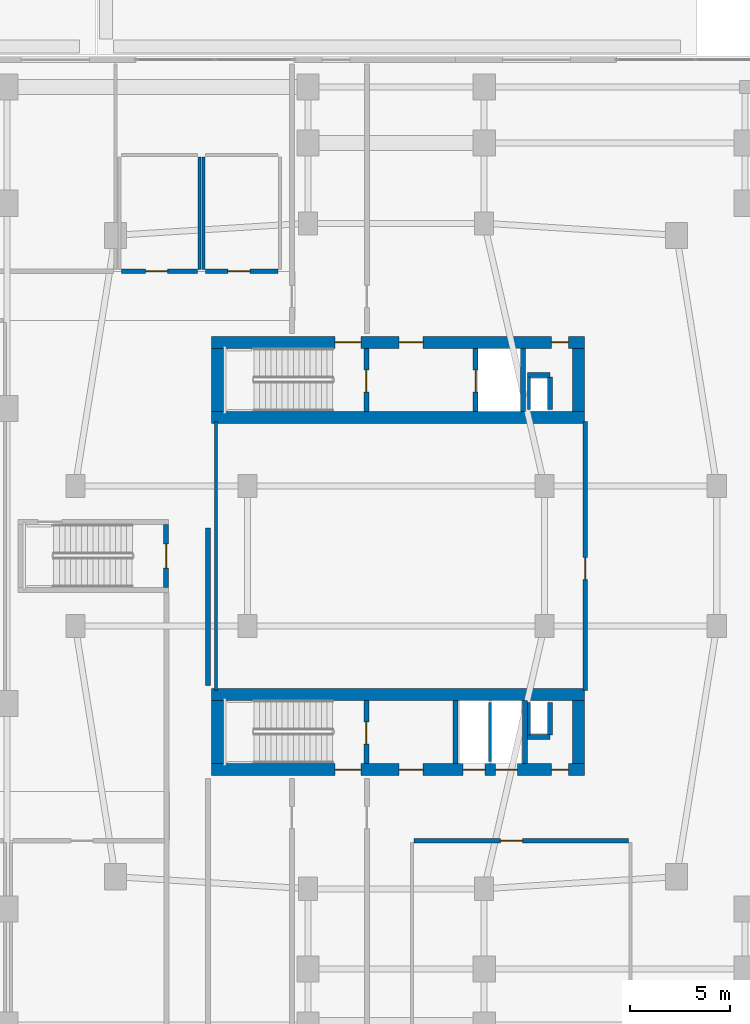
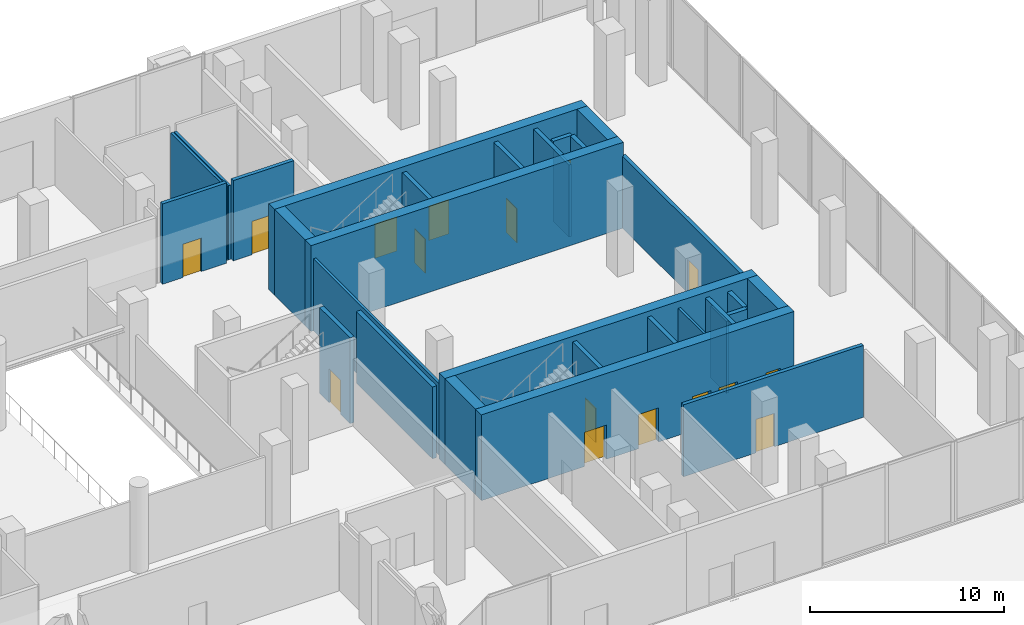
# One storey, part 16 of 24: 30 walls, 16 doors, 16 openings.
"""IFC4 building model written with IfcOpenShell, lengths in metres."""

from ifc_helpers import new_model, si_unit, derived_unit, direction, frame, frame_2d, origin, place, context, subcontext, project, spatial, rectangle, extrude, material, layer, layer_set, type_object, element, fill, save


model = new_model("IFC4")

# Units and contexts
model_context = context("Model", 3, precision=1e-05, world=origin(), true_north=direction((0.0, 1.0)))
body_context = subcontext(model_context, "Body", "Model", "MODEL_VIEW")
ifc_project = project(units=[si_unit("LENGTHUNIT", "METRE"), si_unit("AREAUNIT", "SQUARE_METRE"), si_unit("VOLUMEUNIT", "CUBIC_METRE"), si_unit("PLANEANGLEUNIT", "RADIAN"), si_unit("MASSUNIT", "GRAM", prefix="KILO"), derived_unit("THERMALTRANSMITTANCEUNIT", [(si_unit("POWERUNIT", "WATT"), 1), (si_unit("LENGTHUNIT", "METRE"), -2), (si_unit("THERMODYNAMICTEMPERATUREUNIT", "KELVIN"), -1)])], contexts=[model_context])

# Site, building, storey
site_placement = place(None, origin())
site = spatial("IfcSite", under=ifc_project, at=site_placement, CompositionType="ELEMENT")
building_placement = place(site_placement, origin())
building = spatial("IfcBuilding", under=site, at=building_placement, Name="Kivonza Crest Hotel", CompositionType="ELEMENT")
storey_placement = place(building_placement, origin())
storey = spatial("IfcBuildingStorey", under=building, at=storey_placement, Name="L00", CompositionType="ELEMENT", Elevation=0.0)

# Wall, opening, door
ifc_material_1 = material(Name="Autoclaved aerated concrete blockwork", Category="masonry")
ifc_layer_1 = layer(ifc_material_1, 0.219970703125)
ifc_layer_set_1 = layer_set([ifc_layer_1], Name="Autoclaved aerated concrete blockwork")
wall_type_1 = type_object("IfcWallType", Name="WL-ACOU-220", PredefinedType="SOLIDWALL", material=ifc_layer_set_1)
wall_1_placement = place(storey_placement, frame((86.449951171875, 18.300048828125, 0.0), z_axis=(0.0, 0.0, 1.0), x_axis=(0.0, 1.0, 0.0)))
wall_1 = element("IfcWall", 1, at=wall_1_placement, inside=storey, type_object=wall_type_1, Name="L00 interior partition WA-L00-RES-LOB-E", PredefinedType="SOLIDWALL", context=body_context, shape_type="SweptSolid", body=[
    extrude(rectangle(XDim=13.39990234375, YDim=0.219970703125, at=frame_2d((6.699951171875, 0.0))), origin(), (0.0, 0.0, 1.0), 4.52490234375),
])
opening_1_placement = place(wall_1_placement, frame((5.52490234375, 0.0, 0.0)))
opening_1 = element("IfcOpeningElement", 2, at=opening_1_placement, cuts=wall_1, Name="Opening DF-60M", PredefinedType="OPENING", context=body_context, shape_type="SweptSolid", body=[
    extrude(rectangle(XDim=1.10009765625, YDim=2.10009765625, at=frame_2d((0.550048828125, 1.050048828125))), frame((0.0, 0.1201171875, 0.0), z_axis=(0.0, -1.0, 0.0), x_axis=(1.0, 0.0, 0.0)), (0.0, 0.0, 1.0), 0.239990234375),
])
ifc_material_2 = material(Name="Hardwood timber oak", Category="wood")
door_type_1 = type_object("IfcDoorType", Name="DR-FD60-1100", OperationType="NOTDEFINED", PredefinedType="DOOR", material=ifc_material_2)
door_1_placement = place(opening_1_placement, origin())
door_1 = element("IfcDoor", 3, at=door_1_placement, inside=storey, type_object=door_type_1, Name="L00 Residential Companion Arrival Lobby door", OperationType="SINGLE_SWING_LEFT", OverallHeight=2.10009765625, OverallWidth=1.10009765625, PredefinedType="DOOR", context=body_context, shape_type="SweptSolid", body=[
    extrude(rectangle(XDim=1.10009765625, YDim=2.10009765625, at=frame_2d((0.550048828125, 1.050048828125))), frame((0.0, 0.02490234375, 0.0), z_axis=(0.0, -1.0, 0.0), x_axis=(1.0, 0.0, 0.0)), (0.0, 0.0, 1.0), 0.050048828125),
])
fill(opening_1, door_1)

wall_2_placement = place(storey_placement, frame((77.89990234375, 10.800048828125, 0.0), z_axis=(0.0, 0.0, 1.0), x_axis=(1.0, 0.0, 0.0)))
wall_2 = element("IfcWall", 4, at=wall_2_placement, inside=storey, type_object=wall_type_1, Name="L00 interior partition WA-L00-RES-VEST-N", PredefinedType="SOLIDWALL", context=body_context, shape_type="SweptSolid", body=[
    extrude(rectangle(XDim=10.7001953125, YDim=0.219970703125, at=frame_2d((5.35009765625, 0.0))), origin(), (0.0, 0.0, 1.0), 4.52490234375),
])
opening_2_placement = place(wall_2_placement, frame((4.31005859375, 0.0, 0.0)))
opening_2 = element("IfcOpeningElement", 5, at=opening_2_placement, cuts=wall_2, Name="Opening DF-60M", PredefinedType="OPENING", context=body_context, shape_type="SweptSolid", body=[
    extrude(rectangle(XDim=1.10009765625, YDim=2.10009765625, at=frame_2d((0.550048828125, 1.050048828125))), frame((0.0, 0.1201171875, 0.0), z_axis=(0.0, -1.0, 0.0), x_axis=(1.0, 0.0, 0.0)), (0.0, 0.0, 1.0), 0.239990234375),
])
door_2_placement = place(opening_2_placement, frame((1.10009765625, 0.0, 0.0), z_axis=(0.0, 0.0, 1.0), x_axis=(-1.0, 0.0, 0.0)))
door_2 = element("IfcDoor", 6, at=door_2_placement, inside=storey, type_object=door_type_1, Name="L00 Companion South Street Entrance Hall door", OperationType="SINGLE_SWING_RIGHT", OverallHeight=2.10009765625, OverallWidth=1.10009765625, PredefinedType="DOOR", context=body_context, shape_type="SweptSolid", body=[
    extrude(rectangle(XDim=1.10009765625, YDim=2.10009765625, at=frame_2d((0.550048828125, 1.050048828125))), frame((0.0, 0.02490234375, 0.0), z_axis=(0.0, -1.0, 0.0), x_axis=(1.0, 0.0, 0.0)), (0.0, 0.0, 1.0), 0.050048828125),
])
fill(opening_2, door_2)

wall_3_placement = place(storey_placement, frame((63.300048828125, 39.199951171875, 0.0), z_axis=(0.0, 0.0, 1.0), x_axis=(1.0, 0.0, 0.0)))
wall_3 = element("IfcWall", 7, at=wall_3_placement, inside=storey, type_object=wall_type_1, Name="L00 interior partition WA-L00-MWC-S", PredefinedType="SOLIDWALL", context=body_context, shape_type="SweptSolid", body=[
    extrude(rectangle(XDim=3.800048828125, YDim=0.219970703125, at=frame_2d((1.89990234375, 0.0))), origin(), (0.0, 0.0, 1.0), 5.050048828125),
])
opening_3_placement = place(wall_3_placement, frame((1.205078125, 0.0, 0.0)))
opening_3 = element("IfcOpeningElement", 8, at=opening_3_placement, cuts=wall_3, Name="Opening DF-60M", PredefinedType="OPENING", context=body_context, shape_type="SweptSolid", body=[
    extrude(rectangle(XDim=1.10009765625, YDim=2.10009765625, at=frame_2d((0.550048828125, 1.050048828125))), frame((0.0, 0.1201171875, 0.0), z_axis=(0.0, -1.0, 0.0), x_axis=(1.0, 0.0, 0.0)), (0.0, 0.0, 1.0), 0.239990234375),
])
door_3_placement = place(opening_3_placement, origin())
door_3 = element("IfcDoor", 9, at=door_3_placement, inside=storey, type_object=door_type_1, Name="L00 Ground Public Male WC door", OperationType="SINGLE_SWING_RIGHT", OverallHeight=2.10009765625, OverallWidth=1.10009765625, PredefinedType="DOOR", context=body_context, shape_type="SweptSolid", body=[
    extrude(rectangle(XDim=1.10009765625, YDim=2.10009765625, at=frame_2d((0.550048828125, 1.050048828125))), frame((0.0, 0.02490234375, 0.0), z_axis=(0.0, -1.0, 0.0), x_axis=(1.0, 0.0, 0.0)), (0.0, 0.0, 1.0), 0.050048828125),
])
fill(opening_3, door_3)

wall_4_placement = place(storey_placement, frame((67.5, 39.199951171875, 0.0), z_axis=(0.0, 0.0, 1.0), x_axis=(1.0, 0.0, 0.0)))
wall_4 = element("IfcWall", 10, at=wall_4_placement, inside=storey, type_object=wall_type_1, Name="L00 interior partition WA-L00-FWC-S", PredefinedType="SOLIDWALL", context=body_context, shape_type="SweptSolid", body=[
    extrude(rectangle(XDim=3.60009765625, YDim=0.219970703125, at=frame_2d((1.800048828125, 0.0))), origin(), (0.0, 0.0, 1.0), 5.050048828125),
])
opening_4_placement = place(wall_4_placement, frame((1.114990234375, 0.0, 0.0)))
opening_4 = element("IfcOpeningElement", 11, at=opening_4_placement, cuts=wall_4, Name="Opening DF-60M", PredefinedType="OPENING", context=body_context, shape_type="SweptSolid", body=[
    extrude(rectangle(XDim=1.10009765625, YDim=2.10009765625, at=frame_2d((0.550048828125, 1.050048828125))), frame((0.0, 0.1201171875, 0.0), z_axis=(0.0, -1.0, 0.0), x_axis=(1.0, 0.0, 0.0)), (0.0, 0.0, 1.0), 0.239990234375),
])
door_4_placement = place(opening_4_placement, origin())
door_4 = element("IfcDoor", 12, at=door_4_placement, inside=storey, type_object=door_type_1, Name="L00 Ground Public Female WC door", OperationType="SINGLE_SWING_LEFT", OverallHeight=2.10009765625, OverallWidth=1.10009765625, PredefinedType="DOOR", context=body_context, shape_type="SweptSolid", body=[
    extrude(rectangle(XDim=1.10009765625, YDim=2.10009765625, at=frame_2d((0.550048828125, 1.050048828125))), frame((0.0, 0.02490234375, 0.0), z_axis=(0.0, -1.0, 0.0), x_axis=(1.0, 0.0, 0.0)), (0.0, 0.0, 1.0), 0.050048828125),
])
fill(opening_4, door_4)

# Wall
ifc_material_3 = material(Name="Concrete C60/75", Category="concrete")
ifc_layer_2 = layer(ifc_material_3, 0.60009765625)
ifc_layer_set_2 = layer_set([ifc_layer_2], Name="Concrete C60/75")
wall_type_2 = type_object("IfcWallType", Name="WL-CORE-600", PredefinedType="SHEAR", material=ifc_layer_set_2)
wall_5_placement = place(storey_placement, frame((67.800048828125, 31.89990234375, 0.0), z_axis=(0.0, 0.0, 1.0), x_axis=(1.0, 0.0, 0.0)))
element("IfcWall", 13, at=wall_5_placement, inside=storey, type_object=wall_type_2, Name="Core wall T2-N South L00", PredefinedType="SHEAR", context=body_context, shape_type="SweptSolid", body=[
    extrude(rectangle(XDim=18.599853515625, YDim=0.60009765625, at=frame_2d((9.2998046875, 0.0))), origin(), (0.0, 0.0, 1.0), 5.39990234375),
])

# Wall, openings, doors
wall_6_placement = place(storey_placement, frame((67.800048828125, 35.659912109375, 0.0), z_axis=(0.0, 0.0, 1.0), x_axis=(1.0, 0.0, 0.0)))
wall_6 = element("IfcWall", 14, at=wall_6_placement, inside=storey, type_object=wall_type_2, Name="Core wall T2-N North L00", PredefinedType="SHEAR", context=body_context, shape_type="SweptSolid", body=[
    extrude(rectangle(XDim=18.599853515625, YDim=0.60009765625, at=frame_2d((9.2998046875, 0.0))), origin(), (0.0, 0.0, 1.0), 5.39990234375),
])
opening_5_placement = place(wall_6_placement, frame((9.35009765625, 0.0, 0.0)))
opening_5 = element("IfcOpeningElement", 15, at=opening_5_placement, cuts=wall_6, Name="Opening DF-60", PredefinedType="OPENING", context=body_context, shape_type="SweptSolid", body=[
    extrude(rectangle(XDim=1.199951171875, YDim=2.14990234375, at=frame_2d((0.60009765625, 1.074951171875))), frame((0.0, 0.31005859375, 0.0), z_axis=(0.0, -1.0, 0.0), x_axis=(1.0, 0.0, 0.0)), (0.0, 0.0, 1.0), 0.6201171875),
])
opening_6_placement = place(wall_6_placement, frame((6.14990234375, 0.0, 0.0)))
opening_6 = element("IfcOpeningElement", 16, at=opening_6_placement, cuts=wall_6, Name="Opening DF-120D", PredefinedType="OPENING", context=body_context, shape_type="SweptSolid", body=[
    extrude(rectangle(XDim=1.300048828125, YDim=2.14990234375, at=frame_2d((0.64990234375, 1.074951171875))), frame((0.0, 0.31005859375, 0.0), z_axis=(0.0, -1.0, 0.0), x_axis=(1.0, 0.0, 0.0)), (0.0, 0.0, 1.0), 0.6201171875),
])
opening_7_placement = place(wall_6_placement, frame((16.949951171875, 0.0, 0.0)))
opening_7 = element("IfcOpeningElement", 17, at=opening_7_placement, cuts=wall_6, Name="Opening DF-60R", PredefinedType="OPENING", context=body_context, shape_type="SweptSolid", body=[
    extrude(rectangle(XDim=0.85009765625, YDim=2.10009765625, at=frame_2d((0.425048828125, 1.050048828125))), frame((0.0, 0.31005859375, 0.0), z_axis=(0.0, -1.0, 0.0), x_axis=(1.0, 0.0, 0.0)), (0.0, 0.0, 1.0), 0.6201171875),
])
ifc_material_4 = material(Name="Galvanised steel", Category="steel")
door_type_2 = type_object("IfcDoorType", Name="DR-FD120-1300", OperationType="NOTDEFINED", PredefinedType="DOOR", material=ifc_material_4)
door_5_placement = place(opening_6_placement, origin())
door_5 = element("IfcDoor", 18, at=door_5_placement, inside=storey, type_object=door_type_2, Name="L00 T2-N stair exit discharge fire door", OperationType="DOUBLE_DOOR_SINGLE_SWING", OverallHeight=2.14990234375, OverallWidth=1.300048828125, PredefinedType="DOOR", context=body_context, shape_type="SweptSolid", body=[
    extrude(rectangle(XDim=1.300048828125, YDim=2.14990234375, at=frame_2d((0.64990234375, 1.074951171875))), frame((0.0, 0.02490234375, 0.0), z_axis=(0.0, -1.0, 0.0), x_axis=(1.0, 0.0, 0.0)), (0.0, 0.0, 1.0), 0.050048828125),
])
fill(opening_6, door_5)
door_type_3 = type_object("IfcDoorType", Name="DR-FD60-1200", OperationType="NOTDEFINED", PredefinedType="DOOR", material=ifc_material_2)
door_6_placement = place(opening_5_placement, origin())
door_6 = element("IfcDoor", 19, at=door_6_placement, inside=storey, type_object=door_type_3, Name="L00 T2-N firefighting lobby fire door", OperationType="SINGLE_SWING_RIGHT", OverallHeight=2.14990234375, OverallWidth=1.199951171875, PredefinedType="DOOR", context=body_context, shape_type="SweptSolid", body=[
    extrude(rectangle(XDim=1.199951171875, YDim=2.14990234375, at=frame_2d((0.60009765625, 1.074951171875))), frame((0.0, 0.02490234375, 0.0), z_axis=(0.0, -1.0, 0.0), x_axis=(1.0, 0.0, 0.0)), (0.0, 0.0, 1.0), 0.050048828125),
])
fill(opening_5, door_6)
door_type_4 = type_object("IfcDoorType", Name="DR-FD60-850", OperationType="NOTDEFINED", PredefinedType="DOOR", material=ifc_material_2)
door_7_placement = place(opening_7_placement, origin())
door_7 = element("IfcDoor", 20, at=door_7_placement, inside=storey, type_object=door_type_4, Name="L00 T2-N core room door", OperationType="SINGLE_SWING_RIGHT", OverallHeight=2.10009765625, OverallWidth=0.85009765625, PredefinedType="DOOR", context=body_context, shape_type="SweptSolid", body=[
    extrude(rectangle(XDim=0.85009765625, YDim=2.10009765625, at=frame_2d((0.425048828125, 1.050048828125))), frame((0.0, 0.02490234375, 0.0), z_axis=(0.0, -1.0, 0.0), x_axis=(1.0, 0.0, 0.0)), (0.0, 0.0, 1.0), 0.050048828125),
])
fill(opening_7, door_7)

# Walls
for number, where, z_axis, x_axis, name in (
    (21, (68.10009765625, 32.199951171875, 0.0), (0.0, 0.0, 1.0), (0.0, 1.0, 0.0), "Core wall T2-N West L00"),
    (22, (86.10009765625, 32.199951171875, 0.0), (0.0, 0.0, 1.0), (0.0, 1.0, 0.0), "Core wall T2-N East L00"),
):
    element("IfcWall", number, at=place(storey_placement, frame(where, z_axis=z_axis, x_axis=x_axis)), inside=storey, type_object=wall_type_2, Name=name, PredefinedType="SHEAR", context=body_context, shape_type="SweptSolid", body=[
        extrude(rectangle(XDim=3.16015625, YDim=0.60009765625, at=frame_2d((1.580078125, 0.0))), origin(), (0.0, 0.0, 1.0), 5.39990234375),
    ])

# Wall, openings, doors
wall_7_placement = place(storey_placement, frame((67.800048828125, 14.340087890625, 0.0), z_axis=(0.0, 0.0, 1.0), x_axis=(1.0, 0.0, 0.0)))
wall_7 = element("IfcWall", 23, at=wall_7_placement, inside=storey, type_object=wall_type_2, Name="Core wall T2-S South L00", PredefinedType="SHEAR", context=body_context, shape_type="SweptSolid", body=[
    extrude(rectangle(XDim=18.599853515625, YDim=0.60009765625, at=frame_2d((9.2998046875, 0.0))), origin(), (0.0, 0.0, 1.0), 5.39990234375),
])
opening_8_placement = place(wall_7_placement, frame((9.35009765625, 0.0, 0.0)))
opening_8 = element("IfcOpeningElement", 24, at=opening_8_placement, cuts=wall_7, Name="Opening DF-60", PredefinedType="OPENING", context=body_context, shape_type="SweptSolid", body=[
    extrude(rectangle(XDim=1.199951171875, YDim=2.14990234375, at=frame_2d((0.60009765625, 1.074951171875))), frame((0.0, 0.31005859375, 0.0), z_axis=(0.0, -1.0, 0.0), x_axis=(1.0, 0.0, 0.0)), (0.0, 0.0, 1.0), 0.6201171875),
])
opening_9_placement = place(wall_7_placement, frame((6.14990234375, 0.0, 0.0)))
opening_9 = element("IfcOpeningElement", 25, at=opening_9_placement, cuts=wall_7, Name="Opening DF-120D", PredefinedType="OPENING", context=body_context, shape_type="SweptSolid", body=[
    extrude(rectangle(XDim=1.300048828125, YDim=2.14990234375, at=frame_2d((0.64990234375, 1.074951171875))), frame((0.0, 0.31005859375, 0.0), z_axis=(0.0, -1.0, 0.0), x_axis=(1.0, 0.0, 0.0)), (0.0, 0.0, 1.0), 0.6201171875),
])
opening_10_placement = place(wall_7_placement, frame((16.949951171875, 0.0, 0.0)))
opening_10 = element("IfcOpeningElement", 26, at=opening_10_placement, cuts=wall_7, Name="Opening DF-60R", PredefinedType="OPENING", context=body_context, shape_type="SweptSolid", body=[
    extrude(rectangle(XDim=0.85009765625, YDim=2.10009765625, at=frame_2d((0.425048828125, 1.050048828125))), frame((0.0, 0.31005859375, 0.0), z_axis=(0.0, -1.0, 0.0), x_axis=(1.0, 0.0, 0.0)), (0.0, 0.0, 1.0), 0.6201171875),
])
opening_11_placement = place(wall_7_placement, frame((12.550048828125, 0.0, 0.0)))
opening_11 = element("IfcOpeningElement", 27, at=opening_11_placement, cuts=wall_7, Name="Opening LD-120", PredefinedType="OPENING", context=body_context, shape_type="SweptSolid", body=[
    extrude(rectangle(XDim=1.10009765625, YDim=2.14990234375, at=frame_2d((0.550048828125, 1.074951171875))), frame((0.0, 0.31005859375, 0.0), z_axis=(0.0, -1.0, 0.0), x_axis=(1.0, 0.0, 0.0)), (0.0, 0.0, 1.0), 0.6201171875),
])
opening_12_placement = place(wall_7_placement, frame((14.14990234375, 0.0, 0.0)))
opening_12 = element("IfcOpeningElement", 28, at=opening_12_placement, cuts=wall_7, Name="Opening LD-120", PredefinedType="OPENING", context=body_context, shape_type="SweptSolid", body=[
    extrude(rectangle(XDim=1.10009765625, YDim=2.14990234375, at=frame_2d((0.550048828125, 1.074951171875))), frame((0.0, 0.31005859375, 0.0), z_axis=(0.0, -1.0, 0.0), x_axis=(1.0, 0.0, 0.0)), (0.0, 0.0, 1.0), 0.6201171875),
])
door_8_placement = place(opening_9_placement, frame((1.300048828125, 0.0, 0.0), z_axis=(0.0, 0.0, 1.0), x_axis=(-1.0, 0.0, 0.0)))
door_8 = element("IfcDoor", 29, at=door_8_placement, inside=storey, type_object=door_type_2, Name="L00 T2-S stair exit discharge fire door", OperationType="DOUBLE_DOOR_SINGLE_SWING", OverallHeight=2.14990234375, OverallWidth=1.300048828125, PredefinedType="DOOR", context=body_context, shape_type="SweptSolid", body=[
    extrude(rectangle(XDim=1.300048828125, YDim=2.14990234375, at=frame_2d((0.64990234375, 1.074951171875))), frame((0.0, 0.02490234375, 0.0), z_axis=(0.0, -1.0, 0.0), x_axis=(1.0, 0.0, 0.0)), (0.0, 0.0, 1.0), 0.050048828125),
])
fill(opening_9, door_8)
door_9_placement = place(opening_8_placement, frame((1.199951171875, 0.0, 0.0), z_axis=(0.0, 0.0, 1.0), x_axis=(-1.0, 0.0, 0.0)))
door_9 = element("IfcDoor", 30, at=door_9_placement, inside=storey, type_object=door_type_3, Name="L00 T2-S firefighting lobby fire door", OperationType="SINGLE_SWING_LEFT", OverallHeight=2.14990234375, OverallWidth=1.199951171875, PredefinedType="DOOR", context=body_context, shape_type="SweptSolid", body=[
    extrude(rectangle(XDim=1.199951171875, YDim=2.14990234375, at=frame_2d((0.60009765625, 1.074951171875))), frame((0.0, 0.02490234375, 0.0), z_axis=(0.0, -1.0, 0.0), x_axis=(1.0, 0.0, 0.0)), (0.0, 0.0, 1.0), 0.050048828125),
])
fill(opening_8, door_9)
door_10_placement = place(opening_10_placement, frame((0.85009765625, 0.0, 0.0), z_axis=(0.0, 0.0, 1.0), x_axis=(-1.0, 0.0, 0.0)))
door_10 = element("IfcDoor", 31, at=door_10_placement, inside=storey, type_object=door_type_4, Name="L00 T2-S core room door", OperationType="SINGLE_SWING_RIGHT", OverallHeight=2.10009765625, OverallWidth=0.85009765625, PredefinedType="DOOR", context=body_context, shape_type="SweptSolid", body=[
    extrude(rectangle(XDim=0.85009765625, YDim=2.10009765625, at=frame_2d((0.425048828125, 1.050048828125))), frame((0.0, 0.02490234375, 0.0), z_axis=(0.0, -1.0, 0.0), x_axis=(1.0, 0.0, 0.0)), (0.0, 0.0, 1.0), 0.050048828125),
])
fill(opening_10, door_10)
ifc_material_5 = material(Name="Stainless steel", Category="steel")
door_type_5 = type_object("IfcDoorType", Name="DR-LD120-1100", OperationType="NOTDEFINED", PredefinedType="DOOR", material=ifc_material_5)
door_11_placement = place(opening_11_placement, frame((1.10009765625, 0.0, 0.0), z_axis=(0.0, 0.0, 1.0), x_axis=(-1.0, 0.0, 0.0)))
door_11 = element("IfcDoor", 32, at=door_11_placement, inside=storey, type_object=door_type_5, Name="L00 PL-T2-1 passenger lift sliding landing door", OperationType="DOUBLE_DOOR_SLIDING", OverallHeight=2.14990234375, OverallWidth=1.10009765625, PredefinedType="DOOR", context=body_context, shape_type="SweptSolid", body=[
    extrude(rectangle(XDim=1.10009765625, YDim=2.14990234375, at=frame_2d((0.550048828125, 1.074951171875))), frame((0.0, 0.02490234375, 0.0), z_axis=(0.0, -1.0, 0.0), x_axis=(1.0, 0.0, 0.0)), (0.0, 0.0, 1.0), 0.050048828125),
])
fill(opening_11, door_11)
door_12_placement = place(opening_12_placement, frame((1.10009765625, 0.0, 0.0), z_axis=(0.0, 0.0, 1.0), x_axis=(-1.0, 0.0, 0.0)))
door_12 = element("IfcDoor", 33, at=door_12_placement, inside=storey, type_object=door_type_5, Name="L00 PL-T2-2 passenger lift sliding landing door", OperationType="DOUBLE_DOOR_SLIDING", OverallHeight=2.14990234375, OverallWidth=1.10009765625, PredefinedType="DOOR", context=body_context, shape_type="SweptSolid", body=[
    extrude(rectangle(XDim=1.10009765625, YDim=2.14990234375, at=frame_2d((0.550048828125, 1.074951171875))), frame((0.0, 0.02490234375, 0.0), z_axis=(0.0, -1.0, 0.0), x_axis=(1.0, 0.0, 0.0)), (0.0, 0.0, 1.0), 0.050048828125),
])
fill(opening_12, door_12)

# Walls
wall_8_placement = place(storey_placement, frame((67.800048828125, 18.10009765625, 0.0), z_axis=(0.0, 0.0, 1.0), x_axis=(1.0, 0.0, 0.0)))
element("IfcWall", 34, at=wall_8_placement, inside=storey, type_object=wall_type_2, Name="Core wall T2-S North L00", PredefinedType="SHEAR", context=body_context, shape_type="SweptSolid", body=[
    extrude(rectangle(XDim=18.599853515625, YDim=0.60009765625, at=frame_2d((9.2998046875, 0.0))), origin(), (0.0, 0.0, 1.0), 5.39990234375),
])
for number, where, z_axis, x_axis, name in (
    (35, (68.10009765625, 14.639892578125, 0.0), (0.0, 0.0, 1.0), (0.0, 1.0, 0.0), "Core wall T2-S West L00"),
    (36, (86.10009765625, 14.639892578125, 0.0), (0.0, 0.0, 1.0), (0.0, 1.0, 0.0), "Core wall T2-S East L00"),
):
    element("IfcWall", number, at=place(storey_placement, frame(where, z_axis=z_axis, x_axis=x_axis)), inside=storey, type_object=wall_type_2, Name=name, PredefinedType="SHEAR", context=body_context, shape_type="SweptSolid", body=[
        extrude(rectangle(XDim=3.16015625, YDim=0.60009765625, at=frame_2d((1.580078125, 0.0))), origin(), (0.0, 0.0, 1.0), 5.39990234375),
    ])
ifc_material_6 = material(Name="Concrete blockwork fire-compartment wall", Category="masonry")
ifc_layer_3 = layer(ifc_material_6, 0.25)
ifc_layer_set_3 = layer_set([ifc_layer_3], Name="Concrete blockwork fire-compartment wall")
wall_type_3 = type_object("IfcWallType", Name="WL-FIRE-250", PredefinedType="SOLIDWALL", material=ifc_layer_set_3)
wall_9_placement = place(storey_placement, frame((84.679931640625, 32.300048828125, 0.0), z_axis=(0.0, 0.0, 1.0), x_axis=(0.0, 1.0, 0.0)))
element("IfcWall", 37, at=wall_9_placement, inside=storey, type_object=wall_type_3, Name="L00 interior partition WA-L00-T2-N-MEPR-E", PredefinedType="SOLIDWALL", context=body_context, shape_type="SweptSolid", body=[
    extrude(rectangle(XDim=1.619873046875, YDim=0.25, at=frame_2d((0.81005859375, 0.0))), origin(), (0.0, 0.0, 1.0), 5.050048828125),
])
wall_10_placement = place(storey_placement, frame((83.550048828125, 34.02001953125, 0.0), z_axis=(0.0, 0.0, 1.0), x_axis=(1.0, 0.0, 0.0)))
element("IfcWall", 38, at=wall_10_placement, inside=storey, type_object=wall_type_3, Name="L00 interior partition WA-L00-T2-N-MEPR-H", PredefinedType="SOLIDWALL", context=body_context, shape_type="SweptSolid", body=[
    extrude(rectangle(XDim=1.1298828125, YDim=0.25, at=frame_2d((0.56494140625, 0.0))), origin(), (0.0, 0.0, 1.0), 5.050048828125),
])
wall_11_placement = place(storey_placement, frame((84.679931640625, 16.080078125, 0.0), z_axis=(0.0, 0.0, 1.0), x_axis=(0.0, 1.0, 0.0)))
element("IfcWall", 39, at=wall_11_placement, inside=storey, type_object=wall_type_3, Name="L00 interior partition WA-L00-T2-S-MEPR-E", PredefinedType="SOLIDWALL", context=body_context, shape_type="SweptSolid", body=[
    extrude(rectangle(XDim=1.619873046875, YDim=0.25, at=frame_2d((0.81005859375, 0.0))), origin(), (0.0, 0.0, 1.0), 5.050048828125),
])
wall_12_placement = place(storey_placement, frame((83.550048828125, 15.97998046875, 0.0), z_axis=(0.0, 0.0, 1.0), x_axis=(1.0, 0.0, 0.0)))
element("IfcWall", 40, at=wall_12_placement, inside=storey, type_object=wall_type_3, Name="L00 interior partition WA-L00-T2-S-MEPR-H", PredefinedType="SOLIDWALL", context=body_context, shape_type="SweptSolid", body=[
    extrude(rectangle(XDim=1.1298828125, YDim=0.25, at=frame_2d((0.56494140625, 0.0))), origin(), (0.0, 0.0, 1.0), 5.050048828125),
])
wall_13_placement = place(storey_placement, frame((67.6201171875, 18.550048828125, 0.0), z_axis=(0.0, 0.0, 1.0), x_axis=(0.0, 1.0, 0.0)))
element("IfcWall", 41, at=wall_13_placement, inside=storey, type_object=wall_type_3, Name="L00 interior partition WA-L00-PODE-EX-E2", PredefinedType="SOLIDWALL", context=body_context, shape_type="SweptSolid", body=[
    extrude(rectangle(XDim=7.849853515625, YDim=0.25, at=frame_2d((3.9248046875, 0.0))), origin(), (0.0, 0.0, 1.0), 4.52490234375),
])
ifc_material_7 = material(Name="Twin-stud acoustic gypsum board partition", Category="gypsum")
ifc_layer_4 = layer(ifc_material_7, 0.14990234375)
ifc_layer_set_4 = layer_set([ifc_layer_4], Name="Twin-stud acoustic gypsum board partition")
wall_type_4 = type_object("IfcWallType", Name="WL-PART-150", PredefinedType="PARTITIONING", material=ifc_layer_set_4)
for number, where, z_axis, x_axis, name in (
    (42, (83.6298828125, 32.300048828125, 0.0), (0.0, 0.0, 1.0), (0.0, 1.0, 0.0), "L00 interior partition WA-L00-T2-N-MEPR-W"),
    (43, (83.6298828125, 16.080078125, 0.0), (0.0, 0.0, 1.0), (0.0, 1.0, 0.0), "L00 interior partition WA-L00-T2-S-MEPR-W"),
):
    element("IfcWall", number, at=place(storey_placement, frame(where, z_axis=z_axis, x_axis=x_axis)), inside=storey, type_object=wall_type_4, Name=name, PredefinedType="PARTITIONING", context=body_context, shape_type="SweptSolid", body=[
        extrude(rectangle(XDim=1.619873046875, YDim=0.14990234375, at=frame_2d((0.81005859375, 0.0))), origin(), (0.0, 0.0, 1.0), 4.52490234375),
    ])
wall_14_placement = place(storey_placement, frame((81.699951171875, 14.739990234375, 0.0), z_axis=(0.0, 0.0, 1.0), x_axis=(0.0, 1.0, 0.0)))
element("IfcWall", 44, at=wall_14_placement, inside=storey, type_object=wall_type_4, Name="L00 interior partition WP-L00-T2-S-BSH-1", PredefinedType="PARTITIONING", context=body_context, shape_type="SweptSolid", body=[
    extrude(rectangle(XDim=2.9599609375, YDim=0.14990234375, at=frame_2d((1.47998046875, 0.0))), origin(), (0.0, 0.0, 1.0), 5.050048828125),
])
wall_15_placement = place(storey_placement, frame((68.02001953125, 18.300048828125, 0.0), z_axis=(0.0, 0.0, 1.0), x_axis=(0.0, 1.0, 0.0)))
element("IfcWall", 45, at=wall_15_placement, inside=storey, type_object=wall_type_4, Name="L00 interior partition WP-L00-RES-LOB-BW", PredefinedType="PARTITIONING", context=body_context, shape_type="SweptSolid", body=[
    extrude(rectangle(XDim=13.39990234375, YDim=0.14990234375, at=frame_2d((6.699951171875, 0.0))), origin(), (0.0, 0.0, 1.0), 4.52490234375),
])
for number, where, z_axis, x_axis, name in (
    (46, (67.199951171875, 39.300048828125, 0.0), (0.0, 0.0, 1.0), (0.0, 1.0, 0.0), "L00 interior partition WP-L00-MWC-BE"),
    (47, (67.39990234375, 39.300048828125, 0.0), (0.0, 0.0, 1.0), (0.0, 1.0, 0.0), "L00 interior partition WP-L00-FWC-BW"),
):
    element("IfcWall", number, at=place(storey_placement, frame(where, z_axis=z_axis, x_axis=x_axis)), inside=storey, type_object=wall_type_4, Name=name, PredefinedType="PARTITIONING", context=body_context, shape_type="SweptSolid", body=[
        extrude(rectangle(XDim=5.599853515625, YDim=0.14990234375, at=frame_2d((2.7998046875, 0.0))), origin(), (0.0, 0.0, 1.0), 4.6650390625),
    ])

# Wall, opening, door
ifc_material_8 = material(Name="Concrete C50/60", Category="concrete")
ifc_layer_5 = layer(ifc_material_8, 0.25)
ifc_layer_set_5 = layer_set([ifc_layer_5], Name="Concrete C50/60")
wall_type_5 = type_object("IfcWallType", Name="WL-SHAFT-250", PredefinedType="STANDARD", material=ifc_layer_set_5)
wall_16_placement = place(storey_placement, frame((75.52490234375, 32.199951171875, 0.0), z_axis=(0.0, 0.0, 1.0), x_axis=(0.0, 1.0, 0.0)))
wall_16 = element("IfcWall", 48, at=wall_16_placement, inside=storey, type_object=wall_type_5, Name="Core shaft wall T2-N STAIR L00", PredefinedType="STANDARD", context=body_context, shape_type="SweptSolid", body=[
    extrude(rectangle(XDim=3.16015625, YDim=0.25, at=frame_2d((1.580078125, 0.0))), origin(), (0.0, 0.0, 1.0), 5.050048828125),
])
opening_13_placement = place(wall_16_placement, frame((0.97998046875, 0.0, 0.0)))
opening_13 = element("IfcOpeningElement", 49, at=opening_13_placement, cuts=wall_16, Name="Opening DF-120", PredefinedType="OPENING", context=body_context, shape_type="SweptSolid", body=[
    extrude(rectangle(XDim=1.10009765625, YDim=2.14990234375, at=frame_2d((0.550048828125, 1.074951171875))), frame((0.0, 0.135009765625, 0.0), z_axis=(0.0, -1.0, 0.0), x_axis=(1.0, 0.0, 0.0)), (0.0, 0.0, 1.0), 0.27001953125),
])
door_type_6 = type_object("IfcDoorType", Name="DR-FD120-1100", OperationType="NOTDEFINED", PredefinedType="DOOR", material=ifc_material_4)
door_13_placement = place(opening_13_placement, frame((1.10009765625, 0.0, 0.0), z_axis=(0.0, 0.0, 1.0), x_axis=(-1.0, 0.0, 0.0)))
door_13 = element("IfcDoor", 50, at=door_13_placement, inside=storey, type_object=door_type_6, Name="L00 T2-N stair fire door", OperationType="SINGLE_SWING_LEFT", OverallHeight=2.14990234375, OverallWidth=1.10009765625, PredefinedType="DOOR", context=body_context, shape_type="SweptSolid", body=[
    extrude(rectangle(XDim=1.10009765625, YDim=2.14990234375, at=frame_2d((0.550048828125, 1.074951171875))), frame((0.0, 0.02490234375, 0.0), z_axis=(0.0, -1.0, 0.0), x_axis=(1.0, 0.0, 0.0)), (0.0, 0.0, 1.0), 0.050048828125),
])
fill(opening_13, door_13)

wall_17_placement = place(storey_placement, frame((80.97509765625, 32.199951171875, 0.0), z_axis=(0.0, 0.0, 1.0), x_axis=(0.0, 1.0, 0.0)))
wall_17 = element("IfcWall", 51, at=wall_17_placement, inside=storey, type_object=wall_type_5, Name="Core shaft wall T2-N FFL-W L00", PredefinedType="STANDARD", context=body_context, shape_type="SweptSolid", body=[
    extrude(rectangle(XDim=3.16015625, YDim=0.25, at=frame_2d((1.580078125, 0.0))), origin(), (0.0, 0.0, 1.0), 5.050048828125),
])
opening_14_placement = place(wall_17_placement, frame((0.97998046875, 0.0, 0.0)))
opening_14 = element("IfcOpeningElement", 52, at=opening_14_placement, cuts=wall_17, Name="Opening LD-120", PredefinedType="OPENING", context=body_context, shape_type="SweptSolid", body=[
    extrude(rectangle(XDim=1.10009765625, YDim=2.14990234375, at=frame_2d((0.550048828125, 1.074951171875))), frame((0.0, 0.135009765625, 0.0), z_axis=(0.0, -1.0, 0.0), x_axis=(1.0, 0.0, 0.0)), (0.0, 0.0, 1.0), 0.27001953125),
])
door_14_placement = place(opening_14_placement, origin())
door_14 = element("IfcDoor", 53, at=door_14_placement, inside=storey, type_object=door_type_5, Name="L00 FFL-T2 firefighting lift sliding landing door", OperationType="DOUBLE_DOOR_SLIDING", OverallHeight=2.14990234375, OverallWidth=1.10009765625, PredefinedType="DOOR", context=body_context, shape_type="SweptSolid", body=[
    extrude(rectangle(XDim=1.10009765625, YDim=2.14990234375, at=frame_2d((0.550048828125, 1.074951171875))), frame((0.0, 0.02490234375, 0.0), z_axis=(0.0, -1.0, 0.0), x_axis=(1.0, 0.0, 0.0)), (0.0, 0.0, 1.0), 0.050048828125),
])
fill(opening_14, door_14)

# Wall
wall_18_placement = place(storey_placement, frame((83.324951171875, 32.199951171875, 0.0), z_axis=(0.0, 0.0, 1.0), x_axis=(0.0, 1.0, 0.0)))
element("IfcWall", 54, at=wall_18_placement, inside=storey, type_object=wall_type_5, Name="Core shaft wall T2-N FFL-E L00", PredefinedType="STANDARD", context=body_context, shape_type="SweptSolid", body=[
    extrude(rectangle(XDim=3.16015625, YDim=0.25, at=frame_2d((1.580078125, 0.0))), origin(), (0.0, 0.0, 1.0), 5.050048828125),
])

# Wall, opening, door
wall_19_placement = place(storey_placement, frame((75.52490234375, 14.639892578125, 0.0), z_axis=(0.0, 0.0, 1.0), x_axis=(0.0, 1.0, 0.0)))
wall_19 = element("IfcWall", 55, at=wall_19_placement, inside=storey, type_object=wall_type_5, Name="Core shaft wall T2-S STAIR L00", PredefinedType="STANDARD", context=body_context, shape_type="SweptSolid", body=[
    extrude(rectangle(XDim=3.16015625, YDim=0.25, at=frame_2d((1.580078125, 0.0))), origin(), (0.0, 0.0, 1.0), 5.050048828125),
])
opening_15_placement = place(wall_19_placement, frame((0.97998046875, 0.0, 0.0)))
opening_15 = element("IfcOpeningElement", 56, at=opening_15_placement, cuts=wall_19, Name="Opening DF-120", PredefinedType="OPENING", context=body_context, shape_type="SweptSolid", body=[
    extrude(rectangle(XDim=1.10009765625, YDim=2.14990234375, at=frame_2d((0.550048828125, 1.074951171875))), frame((0.0, 0.135009765625, 0.0), z_axis=(0.0, -1.0, 0.0), x_axis=(1.0, 0.0, 0.0)), (0.0, 0.0, 1.0), 0.27001953125),
])
door_15_placement = place(opening_15_placement, frame((1.10009765625, 0.0, 0.0), z_axis=(0.0, 0.0, 1.0), x_axis=(-1.0, 0.0, 0.0)))
door_15 = element("IfcDoor", 57, at=door_15_placement, inside=storey, type_object=door_type_6, Name="L00 T2-S stair fire door", OperationType="SINGLE_SWING_RIGHT", OverallHeight=2.14990234375, OverallWidth=1.10009765625, PredefinedType="DOOR", context=body_context, shape_type="SweptSolid", body=[
    extrude(rectangle(XDim=1.10009765625, YDim=2.14990234375, at=frame_2d((0.550048828125, 1.074951171875))), frame((0.0, 0.02490234375, 0.0), z_axis=(0.0, -1.0, 0.0), x_axis=(1.0, 0.0, 0.0)), (0.0, 0.0, 1.0), 0.050048828125),
])
fill(opening_15, door_15)

# Walls
for number, where, z_axis, x_axis, name in (
    (58, (79.97509765625, 14.639892578125, 0.0), (0.0, 0.0, 1.0), (0.0, 1.0, 0.0), "Core shaft wall T2-S BANK-W L00"),
    (59, (83.425048828125, 14.639892578125, 0.0), (0.0, 0.0, 1.0), (0.0, 1.0, 0.0), "Core shaft wall T2-S BANK-E L00"),
):
    element("IfcWall", number, at=place(storey_placement, frame(where, z_axis=z_axis, x_axis=x_axis)), inside=storey, type_object=wall_type_5, Name=name, PredefinedType="STANDARD", context=body_context, shape_type="SweptSolid", body=[
        extrude(rectangle(XDim=3.16015625, YDim=0.25, at=frame_2d((1.580078125, 0.0))), origin(), (0.0, 0.0, 1.0), 5.050048828125),
    ])

# Wall, opening, door
wall_20_placement = place(storey_placement, frame((65.52490234375, 23.419921875, 0.0), z_axis=(0.0, 0.0, 1.0), x_axis=(0.0, 1.0, 0.0)))
wall_20 = element("IfcWall", 60, at=wall_20_placement, inside=storey, type_object=wall_type_5, Name="Podium stair enclosure wall ST-POD-E E L00", PredefinedType="STANDARD", context=body_context, shape_type="SweptSolid", body=[
    extrude(rectangle(XDim=3.16015625, YDim=0.25, at=frame_2d((1.580078125, 0.0))), origin(), (0.0, 0.0, 1.0), 5.39990234375),
])
opening_16_placement = place(wall_20_placement, frame((0.97998046875, 0.0, 0.0)))
opening_16 = element("IfcOpeningElement", 61, at=opening_16_placement, cuts=wall_20, Name="Opening DF-120W", PredefinedType="OPENING", context=body_context, shape_type="SweptSolid", body=[
    extrude(rectangle(XDim=1.199951171875, YDim=2.14990234375, at=frame_2d((0.60009765625, 1.074951171875))), frame((0.0, 0.135009765625, 0.0), z_axis=(0.0, -1.0, 0.0), x_axis=(1.0, 0.0, 0.0)), (0.0, 0.0, 1.0), 0.27001953125),
])
door_type_7 = type_object("IfcDoorType", Name="DR-FD120-1200", OperationType="NOTDEFINED", PredefinedType="DOOR", material=ifc_material_4)
door_16_placement = place(opening_16_placement, frame((1.199951171875, 0.0, 0.0), z_axis=(0.0, 0.0, 1.0), x_axis=(-1.0, 0.0, 0.0)))
door_16 = element("IfcDoor", 62, at=door_16_placement, inside=storey, type_object=door_type_7, Name="L00 ST-POD-E stair discharge fire door", OperationType="SINGLE_SWING_RIGHT", OverallHeight=2.14990234375, OverallWidth=1.199951171875, PredefinedType="DOOR", context=body_context, shape_type="SweptSolid", body=[
    extrude(rectangle(XDim=1.199951171875, YDim=2.14990234375, at=frame_2d((0.60009765625, 1.074951171875))), frame((0.0, 0.02490234375, 0.0), z_axis=(0.0, -1.0, 0.0), x_axis=(1.0, 0.0, 0.0)), (0.0, 0.0, 1.0), 0.050048828125),
])
fill(opening_16, door_16)

save(model, "model.ifc")
